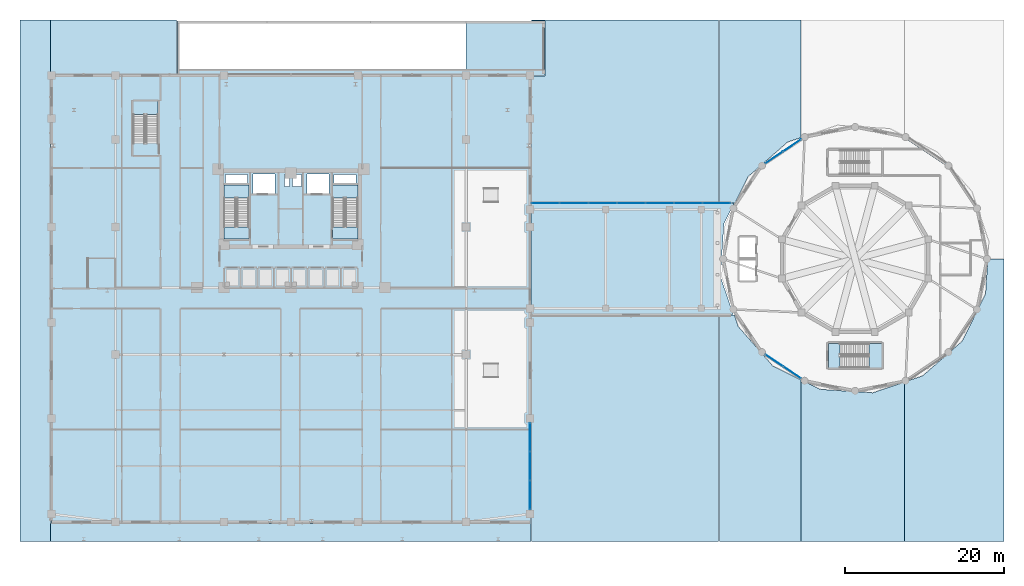
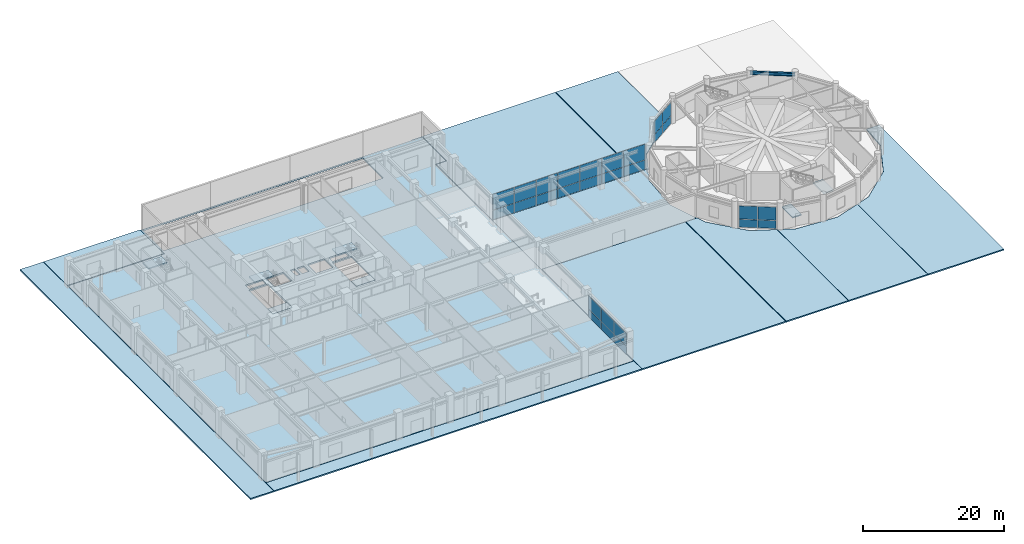
# One storey, part 21 of 40: 28 plates, 18 slabs, 1 beam, 8 elements without a shape of their own.
"""IFC4 building model written with IfcOpenShell, lengths in metres."""

from ifc_helpers import new_model, si_unit, derived_unit, direction, frame, origin, origin_2d, place, context, subcontext, project, spatial, polyline, rectangle, i_section, outline, extrude, source, transform, mapped, material, layer, layer_set, material_profile, profile_set, type_object, element, aggregate, save


model = new_model("IFC4")

# Units and contexts
model_context = context("Model", 3, precision=1e-05, world=origin(), true_north=direction((0.0, 1.0)))
body_context = subcontext(model_context, "Body", "Model", "MODEL_VIEW")
ifc_project = project(units=[si_unit("LENGTHUNIT", "METRE"), si_unit("AREAUNIT", "SQUARE_METRE"), si_unit("VOLUMEUNIT", "CUBIC_METRE"), si_unit("PLANEANGLEUNIT", "RADIAN"), si_unit("MASSUNIT", "GRAM", prefix="KILO"), derived_unit("THERMALTRANSMITTANCEUNIT", [(si_unit("POWERUNIT", "WATT"), 1), (si_unit("LENGTHUNIT", "METRE"), -2), (si_unit("THERMODYNAMICTEMPERATUREUNIT", "KELVIN"), -1)])], contexts=[model_context])

# Site, building, storey
site_placement = place(None, origin())
site = spatial("IfcSite", under=ifc_project, at=site_placement, CompositionType="ELEMENT")
building_placement = place(site_placement, origin())
building = spatial("IfcBuilding", under=site, at=building_placement, Name="Korsvarv Bourse and Concert Hall", CompositionType="ELEMENT")
storey_placement = place(building_placement, origin())
storey = spatial("IfcBuildingStorey", under=building, at=storey_placement, Name="L00", CompositionType="ELEMENT", Elevation=0.0)

# Beam
ifc_material_1 = material(Name="Steel S355", Category="steel")
ifc_material_profile = material_profile(ifc_material_1, i_section(OverallWidth=0.300048828125, OverallDepth=0.550048828125, WebThickness=0.014892578125, FlangeThickness=0.029052734375, FilletRadius=0.02392578125, at=origin_2d()), Name="HEB 550")
ifc_profile_set = profile_set([ifc_material_profile], Name="Steel S355")
beam_type = type_object("IfcBeamType", Name="BM-HEB550", PredefinedType="BEAM", material=ifc_profile_set)
shared_shape_1 = source(origin(), body_context, "Body", "SweptSolid", [
    extrude(i_section(OverallWidth=0.300048828125, OverallDepth=0.550048828125, WebThickness=0.014892578125, FlangeThickness=0.029052734375, FilletRadius=0.02392578125, at=origin_2d()), origin(), (0.0, 0.0, 1.0), 6.457763671875),
])
beam_placement = place(storey_placement, frame((118.502685546875, 47.70263671875, 4.10498046875), z_axis=(-0.831474026951, 0.555563625974, 0.0), x_axis=(-0.555563625974, -0.831474026951, 0.0)))
element("IfcBeam", 1, at=beam_placement, inside=storey, type_object=beam_type, Name="L00 beam B-06", PredefinedType="BEAM", context=body_context, shape_type="MappedRepresentation", body=[
    mapped(shared_shape_1, transform((0.0, 0.0, 0.0), scale=1.0)),
])

# Slabs
ifc_material_2 = material(Name="Precast concrete C45/55", Category="concrete")
ifc_layer_1 = layer(ifc_material_2, 0.199951171875)
ifc_layer_set_1 = layer_set([ifc_layer_1], Name="Precast concrete C45/55")
slab_type_1 = type_object("IfcSlabType", Name="SLB-FLND-T", PredefinedType="LANDING", material=ifc_layer_set_1)
slab_1_placement = place(storey_placement, frame((0.0, 0.0, -0.199951171875)))
element("IfcSlab", 2, at=slab_1_placement, inside=storey, type_object=slab_type_1, Name="L00 Stair ST-T1 Floor Landing Slab", PredefinedType="LANDING", context=body_context, shape_type="SweptSolid", body=[
    extrude(outline(polyline([(30.760009765625, 38.5), (30.760009765625, 40.0), (27.60009765625, 40.0), (27.60009765625, 38.5), (30.760009765625, 38.5)])), origin(), (0.0, 0.0, 1.0), 0.199951171875),
])
slab_2_placement = place(storey_placement, frame((0.0, 0.0, -0.199951171875)))
element("IfcSlab", 3, at=slab_2_placement, inside=storey, type_object=slab_type_1, Name="L00 Stair ST-T2 Floor Landing Slab", PredefinedType="LANDING", context=body_context, shape_type="SweptSolid", body=[
    extrude(outline(polyline([(44.39990234375, 38.5), (44.39990234375, 40.0), (41.239990234375, 40.0), (41.239990234375, 38.5), (44.39990234375, 38.5)])), origin(), (0.0, 0.0, 1.0), 0.199951171875),
])
slab_3_placement = place(storey_placement, frame((0.0, 0.0, -0.199951171875)))
element("IfcSlab", 4, at=slab_3_placement, inside=storey, type_object=slab_type_1, Name="L00 Stair ST-CH2 Floor Landing Slab", PredefinedType="LANDING", context=body_context, shape_type="SweptSolid", body=[
    extrude(outline(polyline([(103.449951171875, 22.340087890625), (104.89990234375, 22.340087890625), (104.89990234375, 25.39990234375), (103.449951171875, 25.39990234375), (103.449951171875, 22.340087890625)])), origin(), (0.0, 0.0, 1.0), 0.199951171875),
])
ifc_material_3 = material(Name="Concrete C45/55", Category="concrete")
ifc_layer_2 = layer(ifc_material_3, 0.260009765625)
ifc_layer_set_2 = layer_set([ifc_layer_2], Name="Concrete C45/55")
slab_type_2 = type_object("IfcSlabType", Name="SLB-LNK", PredefinedType="FLOOR", material=ifc_layer_set_2)
slab_4_placement = place(storey_placement, frame((0.0, 0.0, -0.260009765625)))
element("IfcSlab", 5, at=slab_4_placement, inside=storey, type_object=slab_type_2, Name="L00 podium link gallery slab", PredefinedType="FLOOR", context=body_context, shape_type="SweptSolid", body=[
    extrude(outline(polyline([(66.110107421875, 29.0), (66.110107421875, 43.0), (91.618408203125, 43.0), (90.351806640625, 40.431640625), (90.346923828125, 40.4208984375), (90.343505859375, 40.40966796875), (90.3408203125, 40.39794921875), (90.339599609375, 40.38623046875), (89.907958984375, 33.7998046875), (89.90771484375, 33.7880859375), (89.90869140625, 33.776123046875), (89.91064453125, 33.7646484375), (89.9140625, 33.75341796875), (91.527587890625, 29.0), (66.110107421875, 29.0)])), origin(), (0.0, 0.0, 1.0), 0.260009765625),
])
ifc_material_4 = material(Name="Gothenburg granite paving on Concrete C35/45", Category="concrete")
ifc_layer_3 = layer(ifc_material_4, 0.2099609375)
ifc_layer_set_3 = layer_set([ifc_layer_3], Name="Gothenburg granite paving on Concrete C35/45")
slab_type_3 = type_object("IfcSlabType", Name="SLB-PAV", PredefinedType="USERDEFINED", material=ifc_layer_set_3)
slab_5_placement = place(storey_placement, frame((0.0, 0.0, -0.2099609375)))
element("IfcSlab", 6, at=slab_5_placement, inside=storey, type_object=slab_type_3, Name="L00 Korsvarv Public Plaza Granite Deck W1", ObjectType="PAVING", PredefinedType="USERDEFINED", context=body_context, shape_type="SweptSolid", body=[
    extrude(outline(polyline([(2.02001953125, 0.52001953125), (2.02001953125, 65.97998046875), (5.820068359375, 65.97998046875), (5.820068359375, 0.52001953125), (2.02001953125, 0.52001953125)])), origin(), (0.0, 0.0, 1.0), 0.2099609375),
])
slab_6_placement = place(storey_placement, frame((0.0, 0.0, -0.2099609375)))
element("IfcSlab", 7, at=slab_6_placement, inside=storey, type_object=slab_type_3, Name="L00 Korsvarv Public Plaza Granite Deck S2", ObjectType="PAVING", PredefinedType="USERDEFINED", context=body_context, shape_type="SweptSolid", body=[
    extrude(outline(polyline([(5.840087890625, 0.52001953125), (5.840087890625, 2.820068359375), (66.159912109375, 2.820068359375), (66.159912109375, 0.52001953125), (5.840087890625, 0.52001953125)])), origin(), (0.0, 0.0, 1.0), 0.2099609375),
])
slab_7_placement = place(storey_placement, frame((0.0, 0.0, -0.2099609375)))
element("IfcSlab", 8, at=slab_7_placement, inside=storey, type_object=slab_type_3, Name="L00 Korsvarv Public Plaza Granite Deck NW3", ObjectType="PAVING", PredefinedType="USERDEFINED", context=body_context, shape_type="SweptSolid", body=[
    extrude(outline(polyline([(21.679931640625, 59.179931640625), (5.840087890625, 59.179931640625), (5.840087890625, 65.97998046875), (21.679931640625, 65.97998046875), (21.679931640625, 65.8798828125), (21.679931640625, 59.179931640625)])), origin(), (0.0, 0.0, 1.0), 0.2099609375),
])
slab_8_placement = place(storey_placement, frame((0.0, 0.0, -0.2099609375)))
element("IfcSlab", 9, at=slab_8_placement, inside=storey, type_object=slab_type_3, Name="L00 Korsvarv Public Plaza Granite Deck SE14", ObjectType="PAVING", PredefinedType="USERDEFINED", context=body_context, shape_type="SweptSolid", body=[
    extrude(outline(polyline([(66.179931640625, 28.97998046875), (89.679931640625, 28.97998046875), (89.679931640625, 0.52001953125), (66.179931640625, 0.52001953125), (66.179931640625, 28.97998046875)])), origin(), (0.0, 0.0, 1.0), 0.2099609375),
])
slab_9_placement = place(storey_placement, frame((0.0, 0.0, -0.2099609375)))
element("IfcSlab", 10, at=slab_9_placement, inside=storey, type_object=slab_type_3, Name="L00 Korsvarv Public Plaza Granite Deck SE15", ObjectType="PAVING", PredefinedType="USERDEFINED", context=body_context, shape_type="SweptSolid", body=[
    extrude(outline(polyline([(89.800048828125, 28.97998046875), (91.639892578125, 28.97998046875), (92.131591796875, 27.53125), (96.489013671875, 22.5625), (100.0, 20.8310546875), (100.0, 0.52001953125), (89.800048828125, 0.52001953125), (89.800048828125, 28.97998046875)])), origin(), (0.0, 0.0, 1.0), 0.2099609375),
])
slab_10_placement = place(storey_placement, frame((0.0, 0.0, -0.2099609375)))
element("IfcSlab", 11, at=slab_10_placement, inside=storey, type_object=slab_type_3, Name="L00 Korsvarv Public Plaza Granite Deck SE26", ObjectType="PAVING", PredefinedType="USERDEFINED", context=body_context, shape_type="SweptSolid", body=[
    extrude(outline(polyline([(113.0, 0.52001953125), (100.02001953125, 0.52001953125), (100.02001953125, 20.8212890625), (102.416259765625, 19.6396484375), (109.0107421875, 19.20751953125), (113.0, 20.5615234375), (113.0, 0.52001953125)])), origin(), (0.0, 0.0, 1.0), 0.2099609375),
])
slab_11_placement = place(storey_placement, frame((0.0, 0.0, -0.2099609375)))
element("IfcSlab", 12, at=slab_11_placement, inside=storey, type_object=slab_type_3, Name="L00 Korsvarv Public Plaza Granite Deck SE37", ObjectType="PAVING", PredefinedType="USERDEFINED", context=body_context, shape_type="SweptSolid", body=[
    extrude(outline(polyline([(125.47998046875, 36.0), (125.47998046875, 0.52001953125), (113.02001953125, 0.52001953125), (113.02001953125, 20.568359375), (115.268798828125, 21.33154296875), (120.237548828125, 25.689208984375), (123.160400390625, 31.6162109375), (123.44775390625, 36.0), (125.47998046875, 36.0)])), origin(), (0.0, 0.0, 1.0), 0.2099609375),
])
slab_12_placement = place(storey_placement, frame((0.0, 0.0, -0.2099609375)))
element("IfcSlab", 13, at=slab_12_placement, inside=storey, type_object=slab_type_3, Name="L00 Korsvarv Public Plaza Granite Deck NE18", ObjectType="PAVING", PredefinedType="USERDEFINED", context=body_context, shape_type="SweptSolid", body=[
    extrude(outline(polyline([(66.179931640625, 58.97998046875), (67.8798828125, 58.97998046875), (67.8798828125, 65.8798828125), (66.179931640625, 65.8798828125), (66.179931640625, 65.97998046875), (89.679931640625, 65.97998046875), (89.679931640625, 43.02001953125), (66.179931640625, 43.02001953125), (66.179931640625, 58.97998046875)])), origin(), (0.0, 0.0, 1.0), 0.2099609375),
])
slab_13_placement = place(storey_placement, frame((0.0, 0.0, -0.2099609375)))
element("IfcSlab", 14, at=slab_13_placement, inside=storey, type_object=slab_type_3, Name="L00 Korsvarv Public Plaza Granite Deck NE19", ObjectType="PAVING", PredefinedType="USERDEFINED", context=body_context, shape_type="SweptSolid", body=[
    extrude(outline(polyline([(89.800048828125, 65.97998046875), (100.0, 65.97998046875), (100.0, 51.23486328125), (98.331298828125, 50.66845703125), (93.362548828125, 46.310791015625), (91.739501953125, 43.02001953125), (89.800048828125, 43.02001953125), (89.800048828125, 65.97998046875)])), origin(), (0.0, 0.0, 1.0), 0.2099609375),
])
ifc_layer_4 = layer(ifc_material_3, 0.280029296875)
ifc_layer_set_4 = layer_set([ifc_layer_4], Name="Concrete C45/55")
slab_type_4 = type_object("IfcSlabType", Name="SLB-PD1", PredefinedType="FLOOR", material=ifc_layer_set_4)
slab_14_placement = place(storey_placement, frame((0.0, 0.0, -0.280029296875)))
element("IfcSlab", 15, at=slab_14_placement, inside=storey, type_object=slab_type_4, Name="L00 exchange podium floor slab", PredefinedType="FLOOR", context=body_context, shape_type="SweptSolid", body=[
    extrude(outline(polyline([(66.10009765625, 2.89990234375), (5.89990234375, 2.89990234375), (5.89990234375, 59.10009765625), (21.699951171875, 59.10009765625), (21.699951171875, 65.860107421875), (67.860107421875, 65.860107421875), (67.860107421875, 59.0), (66.10009765625, 59.0), (66.10009765625, 2.89990234375)]), holes=[polyline([(30.760009765625, 38.5), (30.760009765625, 45.300048828125), (27.60009765625, 45.300048828125), (27.60009765625, 38.5), (30.760009765625, 38.5)]), polyline([(44.39990234375, 38.5), (44.39990234375, 45.300048828125), (41.239990234375, 45.300048828125), (41.239990234375, 38.5), (44.39990234375, 38.5)]), polyline([(31.239990234375, 44.219970703125), (34.0, 44.219970703125), (34.0, 46.679931640625), (31.239990234375, 46.679931640625), (31.239990234375, 44.219970703125)]), polyline([(38.0, 44.219970703125), (40.760009765625, 44.219970703125), (40.760009765625, 46.679931640625), (38.0, 46.679931640625), (38.0, 44.219970703125)]), polyline([(27.800048828125, 45.56005859375), (30.56005859375, 45.56005859375), (30.56005859375, 46.6201171875), (27.800048828125, 46.6201171875), (27.800048828125, 45.56005859375)]), polyline([(41.43994140625, 45.56005859375), (44.199951171875, 45.56005859375), (44.199951171875, 46.6201171875), (41.43994140625, 46.6201171875), (41.43994140625, 45.56005859375)]), polyline([(35.199951171875, 45.080078125), (35.840087890625, 45.080078125), (35.840087890625, 46.6201171875), (35.199951171875, 46.6201171875), (35.199951171875, 45.080078125)]), polyline([(36.239990234375, 45.080078125), (37.320068359375, 45.080078125), (37.320068359375, 46.6201171875), (36.239990234375, 46.6201171875), (36.239990234375, 45.080078125)]), polyline([(22.0, 59.800048828125), (58.0, 59.800048828125), (58.0, 65.800048828125), (22.0, 65.800048828125), (22.0, 59.800048828125)])]), origin(), (0.0, 0.0, 1.0), 0.280029296875),
])

# Stair, slab
stair_type_1 = type_object("IfcStairType", Name="STR-TYPE-02", PredefinedType="HALF_TURN_STAIR", material=ifc_material_2)
stair_1_placement = place(storey_placement, origin())
stair_1 = element("IfcStair", 16, at=stair_1_placement, inside=storey, type_object=stair_type_1, Name="L00 Tower West Exit Stair ST-T1", PredefinedType="HALF_TURN_STAIR")
ifc_layer_5 = layer(ifc_material_2, 0.199951171875)
ifc_layer_set_5 = layer_set([ifc_layer_5], Name="Precast concrete C45/55")
slab_type_5 = type_object("IfcSlabType", Name="SLB-ST-LND", PredefinedType="LANDING", material=ifc_layer_set_5)
slab_15_placement = place(storey_placement, frame((0.0, 0.0, 2.199951171875)))
slab_15 = element("IfcSlab", 17, at=slab_15_placement, type_object=slab_type_5, Name="ST-T1 landing 1", PredefinedType="LANDING", context=body_context, shape_type="SweptSolid", body=[
    extrude(outline(polyline([(30.760009765625, 43.639892578125), (30.760009765625, 45.300048828125), (27.60009765625, 45.300048828125), (27.60009765625, 43.639892578125), (30.760009765625, 43.639892578125)])), origin(), (0.0, 0.0, 1.0), 0.199951171875),
])
aggregate(stair_1, [slab_15])

stair_2_placement = place(storey_placement, origin())
stair_2 = element("IfcStair", 18, at=stair_2_placement, inside=storey, type_object=stair_type_1, Name="L00 Tower East Exit Stair ST-T2", PredefinedType="HALF_TURN_STAIR")
slab_16_placement = place(storey_placement, frame((0.0, 0.0, 2.199951171875)))
slab_16 = element("IfcSlab", 19, at=slab_16_placement, type_object=slab_type_5, Name="ST-T2 landing 1", PredefinedType="LANDING", context=body_context, shape_type="SweptSolid", body=[
    extrude(outline(polyline([(44.39990234375, 43.639892578125), (44.39990234375, 45.300048828125), (41.239990234375, 45.300048828125), (41.239990234375, 43.639892578125), (44.39990234375, 43.639892578125)])), origin(), (0.0, 0.0, 1.0), 0.199951171875),
])
aggregate(stair_2, [slab_16])

stair_3_placement = place(storey_placement, origin())
stair_3 = element("IfcStair", 20, at=stair_3_placement, inside=storey, type_object=stair_type_1, Name="L00 Exchange Podium Grand Stair ST-PD1", PredefinedType="HALF_TURN_STAIR")
slab_17_placement = place(storey_placement, frame((0.0, 0.0, 2.199951171875)))
slab_17 = element("IfcSlab", 21, at=slab_17_placement, type_object=slab_type_5, Name="ST-PD1 landing 1", PredefinedType="LANDING", context=body_context, shape_type="SweptSolid", body=[
    extrude(outline(polyline([(19.360107421875, 54.139892578125), (19.360107421875, 55.800048828125), (16.199951171875, 55.800048828125), (16.199951171875, 54.139892578125), (19.360107421875, 54.139892578125)])), origin(), (0.0, 0.0, 1.0), 0.199951171875),
])
aggregate(stair_3, [slab_17])

stair_type_2 = type_object("IfcStairType", Name="STR-TYPE-07", PredefinedType="HALF_TURN_STAIR", material=ifc_material_2)
stair_4_placement = place(storey_placement, origin())
stair_4 = element("IfcStair", 22, at=stair_4_placement, inside=storey, type_object=stair_type_2, Name="L00 Concert Hall South Exit Stair ST-CH2", PredefinedType="HALF_TURN_STAIR")
slab_18_placement = place(storey_placement, frame((0.0, 0.0, 2.199951171875)))
slab_18 = element("IfcSlab", 23, at=slab_18_placement, type_object=slab_type_5, Name="ST-CH2 landing 1", PredefinedType="LANDING", context=body_context, shape_type="SweptSolid", body=[
    extrude(outline(polyline([(108.5400390625, 22.340087890625), (110.14990234375, 22.340087890625), (110.14990234375, 25.39990234375), (108.5400390625, 25.39990234375), (108.5400390625, 22.340087890625)])), origin(), (0.0, 0.0, 1.0), 0.199951171875),
])
aggregate(stair_4, [slab_18])

# Curtain wall, plates
ifc_material_5 = material(Name="Anodised aluminium and triple low-E glazing", Category="glass")
ifc_layer_6 = layer(ifc_material_5, 0.239990234375)
ifc_layer_set_6 = layer_set([ifc_layer_6], Name="Anodised aluminium and triple low-E glazing")
curtain_wall_type_1 = type_object("IfcCurtainWallType", Name="CW-SYS-5", PredefinedType="NOTDEFINED", material=ifc_layer_set_6)
curtain_wall_1_placement = place(storey_placement, origin())
curtain_wall_1 = element("IfcCurtainWall", 24, at=curtain_wall_1_placement, inside=storey, type_object=curtain_wall_type_1, Name="L00 CW5 curtain wall CW-L00-E1", PredefinedType="NOTDEFINED")
ifc_material_6 = material(Name="Tempered triple insulated low-E architectural glass", Category="glass")
ifc_layer_7 = layer(ifc_material_6, 0.035888671875)
ifc_layer_set_7 = layer_set([ifc_layer_7], Name="Tempered triple insulated low-E architectural glass")
plate_type_1 = type_object("IfcPlateType", Name="CWP-VIS1", PredefinedType="CURTAIN_PANEL", material=ifc_layer_set_7)
shared_shape_2 = source(origin(), body_context, "Body", "SweptSolid", [
    extrude(rectangle(XDim=3.5283203125, YDim=0.035888671875, at=origin_2d()), origin(), (0.0, 0.0, 1.0), 1.35400390625),
])
plate_1_placement = place(storey_placement, frame((66.0, 6.38427734375, 0.06494140625), z_axis=(0.0, 0.0, 1.0), x_axis=(0.0, 1.0, 0.0)))
plate_1 = element("IfcPlate", 25, at=plate_1_placement, type_object=plate_type_1, Name="CW5 panel 1.1", PredefinedType="CURTAIN_PANEL", context=body_context, shape_type="MappedRepresentation", body=[
    mapped(shared_shape_2, transform((0.0, 0.0, 0.0), scale=1.0)),
])
plate_2_placement = place(storey_placement, frame((66.0, 13.61572265625, 0.06494140625), z_axis=(0.0, 0.0, 1.0), x_axis=(0.0, 1.0, 0.0)))
plate_2 = element("IfcPlate", 26, at=plate_2_placement, type_object=plate_type_1, Name="CW5 panel 3.1", PredefinedType="CURTAIN_PANEL", context=body_context, shape_type="MappedRepresentation", body=[
    mapped(shared_shape_2, transform((0.0, 0.0, 0.0), scale=1.0)),
])
shared_shape_3 = source(origin(), body_context, "Body", "SweptSolid", [
    extrude(rectangle(XDim=3.5283203125, YDim=0.035888671875, at=origin_2d()), origin(), (0.0, 0.0, 1.0), 2.27099609375),
])
plate_3_placement = place(storey_placement, frame((66.0, 6.38427734375, 1.484130859375), z_axis=(0.0, 0.0, 1.0), x_axis=(0.0, 1.0, 0.0)))
plate_3 = element("IfcPlate", 27, at=plate_3_placement, type_object=plate_type_1, Name="CW5 panel 1.2", PredefinedType="CURTAIN_PANEL", context=body_context, shape_type="MappedRepresentation", body=[
    mapped(shared_shape_3, transform((0.0, 0.0, 0.0), scale=1.0)),
])
plate_4_placement = place(storey_placement, frame((66.0, 13.61572265625, 1.484130859375), z_axis=(0.0, 0.0, 1.0), x_axis=(0.0, 1.0, 0.0)))
plate_4 = element("IfcPlate", 28, at=plate_4_placement, type_object=plate_type_1, Name="CW5 panel 3.2", PredefinedType="CURTAIN_PANEL", context=body_context, shape_type="MappedRepresentation", body=[
    mapped(shared_shape_3, transform((0.0, 0.0, 0.0), scale=1.0)),
])
shared_shape_4 = source(origin(), body_context, "Body", "SweptSolid", [
    extrude(rectangle(XDim=3.563232421875, YDim=0.035888671875, at=origin_2d()), origin(), (0.0, 0.0, 1.0), 1.35400390625),
])
plate_5_placement = place(storey_placement, frame((66.0, 10.0, 0.06494140625), z_axis=(0.0, 0.0, 1.0), x_axis=(0.0, 1.0, 0.0)))
plate_5 = element("IfcPlate", 29, at=plate_5_placement, type_object=plate_type_1, Name="CW5 panel 2.1", PredefinedType="CURTAIN_PANEL", context=body_context, shape_type="MappedRepresentation", body=[
    mapped(shared_shape_4, transform((0.0, 0.0, 0.0), scale=1.0)),
])
shared_shape_5 = source(origin(), body_context, "Body", "SweptSolid", [
    extrude(rectangle(XDim=3.563232421875, YDim=0.035888671875, at=origin_2d()), origin(), (0.0, 0.0, 1.0), 2.27099609375),
])
plate_6_placement = place(storey_placement, frame((66.0, 10.0, 1.484130859375), z_axis=(0.0, 0.0, 1.0), x_axis=(0.0, 1.0, 0.0)))
plate_6 = element("IfcPlate", 30, at=plate_6_placement, type_object=plate_type_1, Name="CW5 panel 2.2", PredefinedType="CURTAIN_PANEL", context=body_context, shape_type="MappedRepresentation", body=[
    mapped(shared_shape_5, transform((0.0, 0.0, 0.0), scale=1.0)),
])
aggregate(curtain_wall_1, [plate_1, plate_3, plate_5, plate_6, plate_2, plate_4])

curtain_wall_2_placement = place(storey_placement, origin())
curtain_wall_2 = element("IfcCurtainWall", 31, at=curtain_wall_2_placement, inside=storey, type_object=curtain_wall_type_1, Name="L00 CW5 curtain wall CW-L00-LKN", PredefinedType="NOTDEFINED")
shared_shape_6 = source(origin(), body_context, "Body", "SweptSolid", [
    extrude(rectangle(XDim=3.47509765625, YDim=0.035888671875, at=origin_2d()), origin(), (0.0, 0.0, 1.0), 1.627685546875),
])
plate_7_placement = place(storey_placement, frame((67.967529296875, 43.0, 0.06494140625), z_axis=(0.0, 0.0, 1.0), x_axis=(1.0, 0.0, 0.0)))
plate_7 = element("IfcPlate", 32, at=plate_7_placement, type_object=plate_type_1, Name="CW5 panel 1.1", PredefinedType="CURTAIN_PANEL", context=body_context, shape_type="MappedRepresentation", body=[
    mapped(shared_shape_6, transform((0.0, 0.0, 0.0), scale=1.0)),
])
plate_8_placement = place(storey_placement, frame((89.41259765625, 43.0, 0.06494140625), z_axis=(0.0, 0.0, 1.0), x_axis=(1.0, 0.0, 0.0)))
plate_8 = element("IfcPlate", 33, at=plate_8_placement, type_object=plate_type_1, Name="CW5 panel 7.1", PredefinedType="CURTAIN_PANEL", context=body_context, shape_type="MappedRepresentation", body=[
    mapped(shared_shape_6, transform((0.0, 0.0, 0.0), scale=1.0)),
])
shared_shape_7 = source(origin(), body_context, "Body", "SweptSolid", [
    extrude(rectangle(XDim=3.47509765625, YDim=0.035888671875, at=origin_2d()), origin(), (0.0, 0.0, 1.0), 2.71728515625),
])
plate_9_placement = place(storey_placement, frame((67.967529296875, 43.0, 1.7578125), z_axis=(0.0, 0.0, 1.0), x_axis=(1.0, 0.0, 0.0)))
plate_9 = element("IfcPlate", 34, at=plate_9_placement, type_object=plate_type_1, Name="CW5 panel 1.2", PredefinedType="CURTAIN_PANEL", context=body_context, shape_type="MappedRepresentation", body=[
    mapped(shared_shape_7, transform((0.0, 0.0, 0.0), scale=1.0)),
])
plate_10_placement = place(storey_placement, frame((89.41259765625, 43.0, 1.7578125), z_axis=(0.0, 0.0, 1.0), x_axis=(1.0, 0.0, 0.0)))
plate_10 = element("IfcPlate", 35, at=plate_10_placement, type_object=plate_type_1, Name="CW5 panel 7.2", PredefinedType="CURTAIN_PANEL", context=body_context, shape_type="MappedRepresentation", body=[
    mapped(shared_shape_7, transform((0.0, 0.0, 0.0), scale=1.0)),
])
shared_shape_8 = source(origin(), body_context, "Body", "SweptSolid", [
    extrude(rectangle(XDim=3.510009765625, YDim=0.035888671875, at=origin_2d()), origin(), (0.0, 0.0, 1.0), 1.627685546875),
])
plate_11_placement = place(storey_placement, frame((71.530029296875, 43.0, 0.06494140625), z_axis=(0.0, 0.0, 1.0), x_axis=(1.0, 0.0, 0.0)))
plate_11 = element("IfcPlate", 36, at=plate_11_placement, type_object=plate_type_1, Name="CW5 panel 2.1", PredefinedType="CURTAIN_PANEL", context=body_context, shape_type="MappedRepresentation", body=[
    mapped(shared_shape_8, transform((0.0, 0.0, 0.0), scale=1.0)),
])
plate_12_placement = place(storey_placement, frame((75.110107421875, 43.0, 0.06494140625), z_axis=(0.0, 0.0, 1.0), x_axis=(1.0, 0.0, 0.0)))
plate_12 = element("IfcPlate", 37, at=plate_12_placement, type_object=plate_type_1, Name="CW5 panel 3.1", PredefinedType="CURTAIN_PANEL", context=body_context, shape_type="MappedRepresentation", body=[
    mapped(shared_shape_8, transform((0.0, 0.0, 0.0), scale=1.0)),
])
plate_13_placement = place(storey_placement, frame((78.68994140625, 43.0, 0.06494140625), z_axis=(0.0, 0.0, 1.0), x_axis=(1.0, 0.0, 0.0)))
plate_13 = element("IfcPlate", 38, at=plate_13_placement, type_object=plate_type_1, Name="CW5 panel 4.1", PredefinedType="CURTAIN_PANEL", context=body_context, shape_type="MappedRepresentation", body=[
    mapped(shared_shape_8, transform((0.0, 0.0, 0.0), scale=1.0)),
])
plate_14_placement = place(storey_placement, frame((82.27001953125, 43.0, 0.06494140625), z_axis=(0.0, 0.0, 1.0), x_axis=(1.0, 0.0, 0.0)))
plate_14 = element("IfcPlate", 39, at=plate_14_placement, type_object=plate_type_1, Name="CW5 panel 5.1", PredefinedType="CURTAIN_PANEL", context=body_context, shape_type="MappedRepresentation", body=[
    mapped(shared_shape_8, transform((0.0, 0.0, 0.0), scale=1.0)),
])
plate_15_placement = place(storey_placement, frame((85.85009765625, 43.0, 0.06494140625), z_axis=(0.0, 0.0, 1.0), x_axis=(1.0, 0.0, 0.0)))
plate_15 = element("IfcPlate", 40, at=plate_15_placement, type_object=plate_type_1, Name="CW5 panel 6.1", PredefinedType="CURTAIN_PANEL", context=body_context, shape_type="MappedRepresentation", body=[
    mapped(shared_shape_8, transform((0.0, 0.0, 0.0), scale=1.0)),
])
shared_shape_9 = source(origin(), body_context, "Body", "SweptSolid", [
    extrude(rectangle(XDim=3.510009765625, YDim=0.035888671875, at=origin_2d()), origin(), (0.0, 0.0, 1.0), 2.71728515625),
])
plate_16_placement = place(storey_placement, frame((71.530029296875, 43.0, 1.7578125), z_axis=(0.0, 0.0, 1.0), x_axis=(1.0, 0.0, 0.0)))
plate_16 = element("IfcPlate", 41, at=plate_16_placement, type_object=plate_type_1, Name="CW5 panel 2.2", PredefinedType="CURTAIN_PANEL", context=body_context, shape_type="MappedRepresentation", body=[
    mapped(shared_shape_9, transform((0.0, 0.0, 0.0), scale=1.0)),
])
plate_17_placement = place(storey_placement, frame((75.110107421875, 43.0, 1.7578125), z_axis=(0.0, 0.0, 1.0), x_axis=(1.0, 0.0, 0.0)))
plate_17 = element("IfcPlate", 42, at=plate_17_placement, type_object=plate_type_1, Name="CW5 panel 3.2", PredefinedType="CURTAIN_PANEL", context=body_context, shape_type="MappedRepresentation", body=[
    mapped(shared_shape_9, transform((0.0, 0.0, 0.0), scale=1.0)),
])
plate_18_placement = place(storey_placement, frame((78.68994140625, 43.0, 1.7578125), z_axis=(0.0, 0.0, 1.0), x_axis=(1.0, 0.0, 0.0)))
plate_18 = element("IfcPlate", 43, at=plate_18_placement, type_object=plate_type_1, Name="CW5 panel 4.2", PredefinedType="CURTAIN_PANEL", context=body_context, shape_type="MappedRepresentation", body=[
    mapped(shared_shape_9, transform((0.0, 0.0, 0.0), scale=1.0)),
])
plate_19_placement = place(storey_placement, frame((82.27001953125, 43.0, 1.7578125), z_axis=(0.0, 0.0, 1.0), x_axis=(1.0, 0.0, 0.0)))
plate_19 = element("IfcPlate", 44, at=plate_19_placement, type_object=plate_type_1, Name="CW5 panel 5.2", PredefinedType="CURTAIN_PANEL", context=body_context, shape_type="MappedRepresentation", body=[
    mapped(shared_shape_9, transform((0.0, 0.0, 0.0), scale=1.0)),
])
plate_20_placement = place(storey_placement, frame((85.85009765625, 43.0, 1.7578125), z_axis=(0.0, 0.0, 1.0), x_axis=(1.0, 0.0, 0.0)))
plate_20 = element("IfcPlate", 45, at=plate_20_placement, type_object=plate_type_1, Name="CW5 panel 6.2", PredefinedType="CURTAIN_PANEL", context=body_context, shape_type="MappedRepresentation", body=[
    mapped(shared_shape_9, transform((0.0, 0.0, 0.0), scale=1.0)),
])
aggregate(curtain_wall_2, [plate_7, plate_9, plate_11, plate_16, plate_12, plate_17, plate_13, plate_18, plate_14, plate_19, plate_15, plate_20, plate_8, plate_10])

ifc_layer_8 = layer(ifc_material_5, 0.22998046875)
ifc_layer_set_8 = layer_set([ifc_layer_8], Name="Anodised aluminium and triple low-E glazing")
curtain_wall_type_2 = type_object("IfcCurtainWallType", Name="CW-SYS-6", PredefinedType="NOTDEFINED", material=ifc_layer_set_8)
curtain_wall_3_placement = place(storey_placement, origin())
curtain_wall_3 = element("IfcCurtainWall", 46, at=curtain_wall_3_placement, inside=storey, type_object=curtain_wall_type_2, Name="L00 CW6 curtain wall CW-L00-CH06", PredefinedType="NOTDEFINED")
ifc_layer_9 = layer(ifc_material_6, 0.0380859375)
ifc_layer_set_9 = layer_set([ifc_layer_9], Name="Tempered triple insulated low-E architectural glass")
plate_type_2 = type_object("IfcPlateType", Name="CWP-VIS2", PredefinedType="CURTAIN_PANEL", material=ifc_layer_set_9)
shared_shape_10 = source(origin(), body_context, "Body", "SweptSolid", [
    extrude(rectangle(XDim=2.62353515625, YDim=0.0380859375, at=origin_2d()), origin(), (0.0, 0.0, 1.0), 1.35791015625),
])
plate_21_placement = place(storey_placement, frame((98.90185546875, 50.24462890625, 0.06494140625), z_axis=(0.0, 0.0, 1.0), x_axis=(-0.831469083386, -0.555571024599, 0.0)))
plate_21 = element("IfcPlate", 47, at=plate_21_placement, type_object=plate_type_2, Name="CW6 panel 1.1", PredefinedType="CURTAIN_PANEL", context=body_context, shape_type="MappedRepresentation", body=[
    mapped(shared_shape_10, transform((0.0, 0.0, 0.0), scale=1.0)),
])
plate_22_placement = place(storey_placement, frame((96.662109375, 48.748291015625, 0.06494140625), z_axis=(0.0, 0.0, 1.0), x_axis=(-0.831469083386, -0.555571024599, 0.0)))
plate_22 = element("IfcPlate", 48, at=plate_22_placement, type_object=plate_type_2, Name="CW6 panel 2.1", PredefinedType="CURTAIN_PANEL", context=body_context, shape_type="MappedRepresentation", body=[
    mapped(shared_shape_10, transform((0.0, 0.0, 0.0), scale=1.0)),
])

curtain_wall_4_placement = place(storey_placement, origin())
curtain_wall_4 = element("IfcCurtainWall", 49, at=curtain_wall_4_placement, inside=storey, type_object=curtain_wall_type_2, Name="L00 CW6 curtain wall CW-L00-CH11", PredefinedType="NOTDEFINED")
plate_23_placement = place(storey_placement, frame((96.662109375, 23.251708984375, 0.06494140625), z_axis=(0.0, 0.0, 1.0), x_axis=(0.831469083386, -0.555571024599, 0.0)))
plate_23 = element("IfcPlate", 50, at=plate_23_placement, type_object=plate_type_2, Name="CW6 panel 1.1", PredefinedType="CURTAIN_PANEL", context=body_context, shape_type="MappedRepresentation", body=[
    mapped(shared_shape_10, transform((0.0, 0.0, 0.0), scale=1.0)),
])
plate_24_placement = place(storey_placement, frame((98.90185546875, 21.75537109375, 0.06494140625), z_axis=(0.0, 0.0, 1.0), x_axis=(0.831469083386, -0.555571024599, 0.0)))
plate_24 = element("IfcPlate", 51, at=plate_24_placement, type_object=plate_type_2, Name="CW6 panel 2.1", PredefinedType="CURTAIN_PANEL", context=body_context, shape_type="MappedRepresentation", body=[
    mapped(shared_shape_10, transform((0.0, 0.0, 0.0), scale=1.0)),
])

# Plate
shared_shape_11 = source(origin(), body_context, "Body", "SweptSolid", [
    extrude(rectangle(XDim=2.62353515625, YDim=0.0380859375, at=origin_2d()), origin(), (0.0, 0.0, 1.0), 2.277099609375),
])
plate_25_placement = place(storey_placement, frame((98.90185546875, 50.24462890625, 1.48779296875), z_axis=(0.0, 0.0, 1.0), x_axis=(-0.831469083386, -0.555571024599, 0.0)))
plate_25 = element("IfcPlate", 52, at=plate_25_placement, type_object=plate_type_2, Name="CW6 panel 1.2", PredefinedType="CURTAIN_PANEL", context=body_context, shape_type="MappedRepresentation", body=[
    mapped(shared_shape_11, transform((0.0, 0.0, 0.0), scale=1.0)),
])

plate_26_placement = place(storey_placement, frame((96.662109375, 48.748291015625, 1.48779296875), z_axis=(0.0, 0.0, 1.0), x_axis=(-0.831469083386, -0.555571024599, 0.0)))
plate_26 = element("IfcPlate", 53, at=plate_26_placement, type_object=plate_type_2, Name="CW6 panel 2.2", PredefinedType="CURTAIN_PANEL", context=body_context, shape_type="MappedRepresentation", body=[
    mapped(shared_shape_11, transform((0.0, 0.0, 0.0), scale=1.0)),
])

aggregate(curtain_wall_3, [plate_21, plate_25, plate_22, plate_26])

plate_27_placement = place(storey_placement, frame((96.662109375, 23.251708984375, 1.48779296875), z_axis=(0.0, 0.0, 1.0), x_axis=(0.831469083386, -0.555571024599, 0.0)))
plate_27 = element("IfcPlate", 54, at=plate_27_placement, type_object=plate_type_2, Name="CW6 panel 1.2", PredefinedType="CURTAIN_PANEL", context=body_context, shape_type="MappedRepresentation", body=[
    mapped(shared_shape_11, transform((0.0, 0.0, 0.0), scale=1.0)),
])

plate_28_placement = place(storey_placement, frame((98.90185546875, 21.75537109375, 1.48779296875), z_axis=(0.0, 0.0, 1.0), x_axis=(0.831469083386, -0.555571024599, 0.0)))
plate_28 = element("IfcPlate", 55, at=plate_28_placement, type_object=plate_type_2, Name="CW6 panel 2.2", PredefinedType="CURTAIN_PANEL", context=body_context, shape_type="MappedRepresentation", body=[
    mapped(shared_shape_11, transform((0.0, 0.0, 0.0), scale=1.0)),
])

aggregate(curtain_wall_4, [plate_23, plate_27, plate_24, plate_28])

save(model, "model.ifc")
